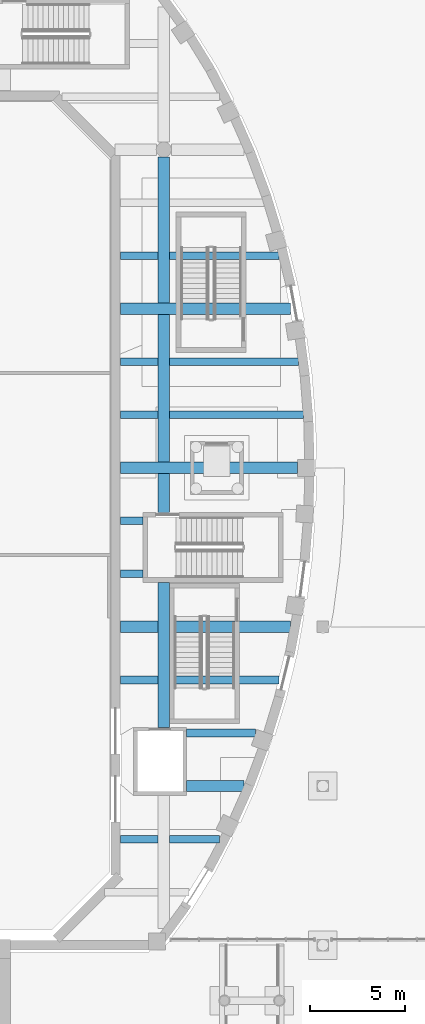
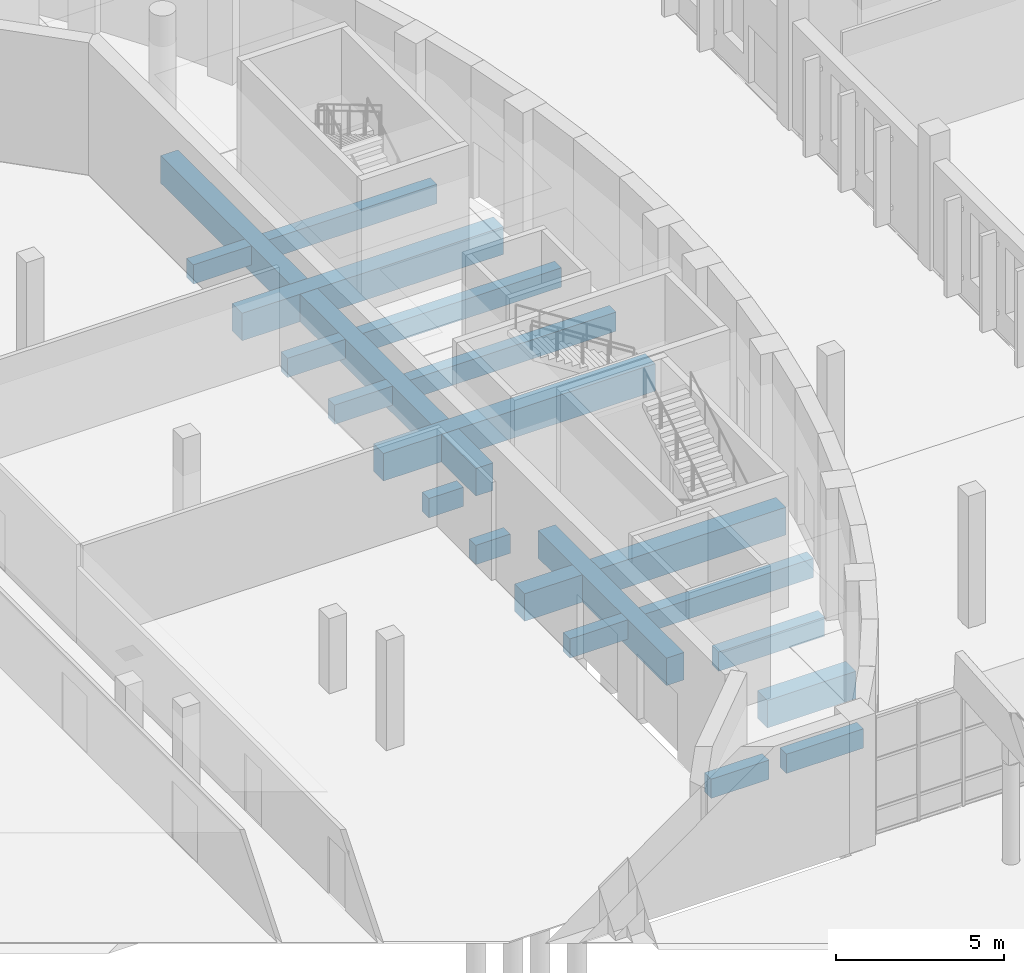
# One storey, part 25 of 110: 19 beams.
"""IFC4 building model written with IfcOpenShell, lengths in metres."""

import ifcopenshell
import ifcopenshell.guid

model = None  # the IFC model being written
_history = None  # IfcOwnerHistory: only IFC2X3 demands one
_inside = {}  # id of a spatial element -> (the spatial element, [elements in it])
_under = {}  # id of a project, library or spatial element -> (it, [spatial elements below it])
_declared = {}  # id of a project -> (the project, [libraries it declares])
_typed = {}  # id of a type object -> (the type object, [elements of that type])
_made_of = {}  # id of a material, layer set ... -> (it, [elements and type objects made of it])


def new_model(schema):
    """Start an empty IFC model of exactly this schema.

    Asked for "IFC4X3", IfcOpenShell would pick the latest addendum, in which some entities
    have other attributes; the version numbers below select the first issue.
    IFC2X3 requires an IfcOwnerHistory on every rooted entity: one is made here for all.
    """
    global model, _history
    if schema == "IFC4X3":
        model = ifcopenshell.file(schema_version=(4, 3, 0, 0))
    else:
        model = ifcopenshell.file(schema=schema)
    _inside.clear()
    _under.clear()
    _declared.clear()
    _typed.clear()
    _made_of.clear()
    _history = None
    if model.schema == "IFC2X3":
        org = make("IfcOrganization", Name="unknown")
        user = make(
            "IfcPersonAndOrganization",
            ThePerson=make("IfcPerson", FamilyName="unknown"),
            TheOrganization=org,
        )
        app = make(
            "IfcApplication",
            ApplicationDeveloper=org,
            Version="unknown",
            ApplicationFullName="unknown",
            ApplicationIdentifier="unknown",
        )
        _history = make(
            "IfcOwnerHistory",
            OwningUser=user,
            OwningApplication=app,
            ChangeAction="ADDED",
            CreationDate=0,
        )
    return model


def make(cls, **values):
    """One entity of the class cls with the attributes given. An attribute that is None is left unset."""
    return model.create_entity(
        cls, **{name: value for name, value in values.items() if value is not None}
    )


def rooted(cls, **values):
    """An entity with a GlobalId (a new one), such as an element, a storey or a relation."""
    return make(cls, GlobalId=ifcopenshell.guid.new(), OwnerHistory=_history, **values)


def si_unit(unit_type, name, prefix=None):
    """IfcSIUnit, for example si_unit("LENGTHUNIT", "METRE", prefix="MILLI")."""
    return make("IfcSIUnit", UnitType=unit_type, Prefix=prefix, Name=name)


def assignment(units):
    """IfcUnitAssignment: the units of a project."""
    return None if units is None else make("IfcUnitAssignment", Units=units)


def point(xyz):
    """IfcCartesianPoint."""
    return None if xyz is None else make("IfcCartesianPoint", Coordinates=xyz)


def direction(xyz):
    """IfcDirection."""
    return None if xyz is None else make("IfcDirection", DirectionRatios=xyz)


def frame(location, z_axis=None, x_axis=None):
    """IfcAxis2Placement3D, a coordinate frame: its origin and axes. An axis left out is left unset."""
    return make(
        "IfcAxis2Placement3D",
        Location=point(location),
        Axis=direction(z_axis),
        RefDirection=direction(x_axis),
    )


def frame_2d(location, x_axis=None):
    """IfcAxis2Placement2D, a coordinate frame in the plane: its origin and x axis."""
    return make(
        "IfcAxis2Placement2D", Location=point(location), RefDirection=direction(x_axis)
    )


def origin():
    """The frame at (0, 0, 0) with its axes left unset."""
    return frame((0.0, 0.0, 0.0))


def origin_2d():
    """The frame at (0, 0) in the plane with its x axis left unset."""
    return frame_2d((0.0, 0.0))


def place(relative_to, where):
    """IfcLocalPlacement: puts the frame where relative to a parent placement (None: the world)."""
    return make(
        "IfcLocalPlacement", PlacementRelTo=relative_to, RelativePlacement=where
    )


def context(
    kind, dimensions, precision=None, world=None, true_north=None, identifier=None
):
    """IfcGeometricRepresentationContext, for example the 3D "Model" context."""
    return make(
        "IfcGeometricRepresentationContext",
        ContextIdentifier=identifier,
        ContextType=kind,
        CoordinateSpaceDimension=dimensions,
        Precision=precision,
        WorldCoordinateSystem=world,
        TrueNorth=true_north,
    )


def subcontext(parent, identifier, kind, view, scale=None):
    """IfcGeometricRepresentationSubContext, for example "Body" below "Model"."""
    return make(
        "IfcGeometricRepresentationSubContext",
        ContextIdentifier=identifier,
        ContextType=kind,
        ParentContext=parent,
        TargetScale=scale,
        TargetView=view,
    )


def project(units=None, contexts=None):
    """IfcProject with its units and contexts."""
    return rooted(
        "IfcProject",
        Name="project",
        RepresentationContexts=contexts,
        UnitsInContext=assignment(units),
    )


def spatial(cls, under=None, at=None, **own):
    """A site, building, storey or space (cls), placed at a placement, below another one or the project."""
    s = rooted(cls, ObjectPlacement=at, **own)
    if under is not None:
        _under.setdefault(under.id(), (under, []))[1].append(s)
    return s


def profile(cls, at=None, kind="AREA", **sizes):
    """A parametric profile (cls). Its sizes go by their IFC names, for example OverallWidth=200.0."""
    return make(cls, ProfileType=kind, Position=at, **sizes)


def rectangle(**sizes):
    """IfcRectangleProfileDef."""
    return profile("IfcRectangleProfileDef", **sizes)


def extrude(swept, where, along, depth):
    """IfcExtrudedAreaSolid: the profile swept, set in the frame where, extruded along a direction by depth."""
    return make(
        "IfcExtrudedAreaSolid",
        SweptArea=swept,
        Position=where,
        ExtrudedDirection=direction(along),
        Depth=depth,
    )


def shape(context_of_items, identifier, shape_type, items):
    """IfcShapeRepresentation: the items that make up one representation, for example the "Body"."""
    return make(
        "IfcShapeRepresentation",
        ContextOfItems=context_of_items,
        RepresentationIdentifier=identifier,
        RepresentationType=shape_type,
        Items=items,
    )


def material(Name=None, Category=None):
    """IfcMaterial."""
    return make("IfcMaterial", Name=Name, Category=Category)


def material_profile(
    of_material, cross_section, Name=None, Category=None, Priority=None
):
    """IfcMaterialProfile: a cross section and its material."""
    return make(
        "IfcMaterialProfile",
        Name=Name,
        Material=of_material,
        Profile=cross_section,
        Priority=Priority,
        Category=Category,
    )


def profile_set(profiles, Name=None, composite=None):
    """IfcMaterialProfileSet."""
    return make(
        "IfcMaterialProfileSet",
        Name=Name,
        MaterialProfiles=profiles,
        CompositeProfile=composite,
    )


def made_of(thing, what):
    """Note that an element or type object is made of a material, layer set ...; save() writes the relation."""
    if what is not None:
        _made_of.setdefault(what.id(), (what, []))[1].append(thing)
    return thing


def type_object(cls, material=None, **own):
    """A type object (cls), such as IfcWallType, which elements share."""
    return made_of(rooted(cls, **own), material)


def element(
    cls,
    number,
    at=None,
    inside=None,
    cuts=None,
    type_object=None,
    material=None,
    context=None,
    identifier="Body",
    shape_type=None,
    held_by="IfcProductDefinitionShape",
    body=None,
    shapes=None,
    **own,
):
    """One element of the class cls, such as IfcWall. Its Tag is "e" and its number.

    at: its placement. inside: the storey or other place that contains it. cuts: it is an
    opening in that element (IfcRelVoidsElement). A single representation is given by context,
    identifier, shape_type and body (its items); several are given by shapes. held_by: the class
    of the entity that holds the representations. save() writes the other relations.
    """
    e = rooted(cls, Tag="e%d" % number, ObjectPlacement=at, **own)
    if body is not None:
        shapes = [shape(context, identifier, shape_type, body)]
    if shapes is not None:
        e.Representation = make(held_by, Representations=shapes)
    if inside is not None:
        _inside.setdefault(inside.id(), (inside, []))[1].append(e)
    if cuts is not None:
        rooted(
            "IfcRelVoidsElement", RelatingBuildingElement=cuts, RelatedOpeningElement=e
        )
    if type_object is not None:
        _typed.setdefault(type_object.id(), (type_object, []))[1].append(e)
    return made_of(e, material)


def aggregate(whole, parts):
    """IfcRelAggregates: a whole, such as a stair, and the parts it consists of."""
    return rooted("IfcRelAggregates", RelatingObject=whole, RelatedObjects=parts)


def save(model, path):
    """Write the relations noted so far, then the file.

    IfcRelAggregates (storeys below a building ...), IfcRelContainedInSpatialStructure (elements
    in a storey), IfcRelDefinesByType, IfcRelAssociatesMaterial and IfcRelDeclares: one each for
    every whole, place, type object, material and project.
    """
    for whole, parts in _under.values():
        aggregate(whole, parts)
    for where, things in _inside.values():
        rooted(
            "IfcRelContainedInSpatialStructure",
            RelatedElements=things,
            RelatingStructure=where,
        )
    for kind, things in _typed.values():
        rooted("IfcRelDefinesByType", RelatedObjects=things, RelatingType=kind)
    for what, things in _made_of.values():
        rooted("IfcRelAssociatesMaterial", RelatedObjects=things, RelatingMaterial=what)
    for by, libraries in _declared.values():
        rooted("IfcRelDeclares", RelatingContext=by, RelatedDefinitions=libraries)
    model.write(path)


model = new_model("IFC4")

# Units and contexts
model_context = context("Model", 3, precision=1e-05, world=origin(), true_north=direction((0.0, 1.0)))
body_context = subcontext(model_context, "Body", "Model", "MODEL_VIEW")
ifc_project = project(units=[si_unit("LENGTHUNIT", "METRE"), si_unit("AREAUNIT", "SQUARE_METRE"), si_unit("VOLUMEUNIT", "CUBIC_METRE"), si_unit("PLANEANGLEUNIT", "RADIAN"), si_unit("MASSUNIT", "GRAM", prefix="KILO")], contexts=[model_context])

# Site, building, storey
site_placement = place(None, origin())
site = spatial("IfcSite", under=ifc_project, at=site_placement, CompositionType="ELEMENT")
building_placement = place(site_placement, origin())
building = spatial("IfcBuilding", under=site, at=building_placement, Name="Larchfold Concert Hall", CompositionType="ELEMENT")
storey_placement = place(building_placement, origin())
storey = spatial("IfcBuildingStorey", under=building, at=storey_placement, Name="L00", CompositionType="ELEMENT", Elevation=0.0)

# Beams
ifc_material_1 = material(Name="Concrete C35/45", Category="concrete")
ifc_material_profile_1 = material_profile(ifc_material_1, rectangle(XDim=0.39990234375, YDim=0.699951171875, at=origin_2d()))
ifc_profile_set_1 = profile_set([ifc_material_profile_1], Name="Concrete C35/45")
beam_type_1 = type_object("IfcBeamType", Name="Beam RC 400x700", PredefinedType="BEAM", material=ifc_profile_set_1)
beam_1_placement = place(storey_placement, frame((57.110107421875, 65.0, -0.550048828125), z_axis=(1.0, 0.0, 0.0), x_axis=(0.0, 1.0, 0.0)))
element("IfcBeam", 1, at=beam_1_placement, inside=storey, type_object=beam_type_1, Name="Beam B1141", PredefinedType="BEAM", context=body_context, shape_type="SweptSolid", body=[
    extrude(rectangle(XDim=0.39990234375, YDim=0.699951171875, at=origin_2d()), origin(), (0.0, 0.0, 1.0), 1.989990234375),
])
beam_2_placement = place(storey_placement, frame((59.699951171875, 65.0, -0.550048828125), z_axis=(1.0, 0.0, 0.0), x_axis=(0.0, 1.0, 0.0)))
element("IfcBeam", 2, at=beam_2_placement, inside=storey, type_object=beam_type_1, Name="Beam B1142", PredefinedType="BEAM", context=body_context, shape_type="SweptSolid", body=[
    extrude(rectangle(XDim=0.39990234375, YDim=0.699951171875, at=origin_2d()), origin(), (0.0, 0.0, 1.0), 2.64013671875),
])
beam_3_placement = place(storey_placement, frame((60.60009765625, 70.60009765625, -0.550048828125), z_axis=(1.0, 0.0, 0.0), x_axis=(0.0, 1.0, 0.0)))
element("IfcBeam", 3, at=beam_3_placement, inside=storey, type_object=beam_type_1, Name="Beam B1144", PredefinedType="BEAM", context=body_context, shape_type="SweptSolid", body=[
    extrude(rectangle(XDim=0.39990234375, YDim=0.699951171875, at=origin_2d()), origin(), (0.0, 0.0, 1.0), 3.64306640625),
])
beam_4_placement = place(storey_placement, frame((57.110107421875, 73.39990234375, -0.550048828125), z_axis=(1.0, 0.0, 0.0), x_axis=(0.0, 1.0, 0.0)))
element("IfcBeam", 4, at=beam_4_placement, inside=storey, type_object=beam_type_1, Name="Beam B1147", PredefinedType="BEAM", context=body_context, shape_type="SweptSolid", body=[
    extrude(rectangle(XDim=0.39990234375, YDim=0.699951171875, at=origin_2d()), origin(), (0.0, 0.0, 1.0), 1.989990234375),
])
beam_5_placement = place(storey_placement, frame((59.699951171875, 73.39990234375, -0.550048828125), z_axis=(1.0, 0.0, 0.0), x_axis=(0.0, 1.0, 0.0)))
element("IfcBeam", 5, at=beam_5_placement, inside=storey, type_object=beam_type_1, Name="Beam B1148", PredefinedType="BEAM", context=body_context, shape_type="SweptSolid", body=[
    extrude(rectangle(XDim=0.39990234375, YDim=0.699951171875, at=origin_2d()), origin(), (0.0, 0.0, 1.0), 5.779052734375),
])
for number, where, z_axis, x_axis, name in (
    (6, (57.110107421875, 79.0, -0.550048828125), (1.0, 0.0, 0.0), (0.0, 1.0, 0.0), "Beam B1150"),
    (7, (57.110107421875, 81.800048828125, -0.550048828125), (1.0, 0.0, 0.0), (0.0, 1.0, 0.0), "Beam B1152"),
):
    element("IfcBeam", number, at=place(storey_placement, frame(where, z_axis=z_axis, x_axis=x_axis)), inside=storey, type_object=beam_type_1, Name=name, PredefinedType="BEAM", context=body_context, shape_type="SweptSolid", body=[
        extrude(rectangle(XDim=0.39990234375, YDim=0.699951171875, at=origin_2d()), origin(), (0.0, 0.0, 1.0), 1.18994140625),
    ])
beam_6_placement = place(storey_placement, frame((57.110107421875, 87.39990234375, -0.550048828125), z_axis=(1.0, 0.0, 0.0), x_axis=(0.0, 1.0, 0.0)))
element("IfcBeam", 8, at=beam_6_placement, inside=storey, type_object=beam_type_1, Name="Beam B1155", PredefinedType="BEAM", context=body_context, shape_type="SweptSolid", body=[
    extrude(rectangle(XDim=0.39990234375, YDim=0.699951171875, at=origin_2d()), origin(), (0.0, 0.0, 1.0), 1.989990234375),
])
beam_7_placement = place(storey_placement, frame((59.699951171875, 87.39990234375, -0.550048828125), z_axis=(1.0, 0.0, 0.0), x_axis=(0.0, 1.0, 0.0)))
element("IfcBeam", 9, at=beam_7_placement, inside=storey, type_object=beam_type_1, Name="Beam B1156", PredefinedType="BEAM", context=body_context, shape_type="SweptSolid", body=[
    extrude(rectangle(XDim=0.39990234375, YDim=0.699951171875, at=origin_2d()), origin(), (0.0, 0.0, 1.0), 7.078125),
])
beam_8_placement = place(storey_placement, frame((57.110107421875, 90.199951171875, -0.550048828125), z_axis=(1.0, 0.0, 0.0), x_axis=(0.0, 1.0, 0.0)))
element("IfcBeam", 10, at=beam_8_placement, inside=storey, type_object=beam_type_1, Name="Beam B1159", PredefinedType="BEAM", context=body_context, shape_type="SweptSolid", body=[
    extrude(rectangle(XDim=0.39990234375, YDim=0.699951171875, at=origin_2d()), origin(), (0.0, 0.0, 1.0), 1.989990234375),
])
beam_9_placement = place(storey_placement, frame((59.699951171875, 90.199951171875, -0.550048828125), z_axis=(1.0, 0.0, 0.0), x_axis=(0.0, 1.0, 0.0)))
element("IfcBeam", 11, at=beam_9_placement, inside=storey, type_object=beam_type_1, Name="Beam B1160", PredefinedType="BEAM", context=body_context, shape_type="SweptSolid", body=[
    extrude(rectangle(XDim=0.39990234375, YDim=0.699951171875, at=origin_2d()), origin(), (0.0, 0.0, 1.0), 6.81982421875),
])
beam_10_placement = place(storey_placement, frame((57.110107421875, 95.800048828125, -0.550048828125), z_axis=(1.0, 0.0, 0.0), x_axis=(0.0, 1.0, 0.0)))
element("IfcBeam", 12, at=beam_10_placement, inside=storey, type_object=beam_type_1, Name="Beam B1163", PredefinedType="BEAM", context=body_context, shape_type="SweptSolid", body=[
    extrude(rectangle(XDim=0.39990234375, YDim=0.699951171875, at=origin_2d()), origin(), (0.0, 0.0, 1.0), 1.989990234375),
])
beam_11_placement = place(storey_placement, frame((59.699951171875, 95.800048828125, -0.550048828125), z_axis=(1.0, 0.0, 0.0), x_axis=(0.0, 1.0, 0.0)))
element("IfcBeam", 13, at=beam_11_placement, inside=storey, type_object=beam_type_1, Name="Beam B1164", PredefinedType="BEAM", context=body_context, shape_type="SweptSolid", body=[
    extrude(rectangle(XDim=0.39990234375, YDim=0.699951171875, at=origin_2d()), origin(), (0.0, 0.0, 1.0), 5.780029296875),
])
ifc_material_2 = material(Name="Concrete C35/45", Category="concrete")
ifc_material_profile_2 = material_profile(ifc_material_2, rectangle(XDim=0.60009765625, YDim=1.0, at=origin_2d()))
ifc_profile_set_2 = profile_set([ifc_material_profile_2], Name="Concrete C35/45")
beam_type_2 = type_object("IfcBeamType", Name="Beam RC 600x1000", PredefinedType="BEAM", material=ifc_profile_set_2)
beam_12_placement = place(storey_placement, frame((59.39990234375, 70.89990234375, -0.699951171875), z_axis=(0.0, 1.0, 0.0), x_axis=(-1.0, 0.0, 0.0)))
element("IfcBeam", 14, at=beam_12_placement, inside=storey, type_object=beam_type_2, Name="Beam B1117", PredefinedType="BEAM", context=body_context, shape_type="SweptSolid", body=[
    extrude(rectangle(XDim=0.60009765625, YDim=1.0, at=origin_2d()), origin(), (0.0, 0.0, 1.0), 7.650146484375),
])
beam_13_placement = place(storey_placement, frame((59.39990234375, 82.25, -0.699951171875), z_axis=(0.0, 1.0, 0.0), x_axis=(-1.0, 0.0, 0.0)))
element("IfcBeam", 15, at=beam_13_placement, inside=storey, type_object=beam_type_2, Name="Beam B1118", PredefinedType="BEAM", context=body_context, shape_type="SweptSolid", body=[
    extrude(rectangle(XDim=0.60009765625, YDim=1.0, at=origin_2d()), origin(), (0.0, 0.0, 1.0), 18.751708984375),
])
beam_14_placement = place(storey_placement, frame((60.60009765625, 67.800048828125, -0.699951171875), z_axis=(1.0, 0.0, 0.0), x_axis=(0.0, 1.0, 0.0)))
element("IfcBeam", 16, at=beam_14_placement, inside=storey, type_object=beam_type_2, Name="Beam B1121", PredefinedType="BEAM", context=body_context, shape_type="SweptSolid", body=[
    extrude(rectangle(XDim=0.60009765625, YDim=1.0, at=origin_2d()), origin(), (0.0, 0.0, 1.0), 3.04638671875),
])
beam_15_placement = place(storey_placement, frame((57.110107421875, 76.199951171875, -0.699951171875), z_axis=(1.0, 0.0, 0.0), x_axis=(0.0, 1.0, 0.0)))
element("IfcBeam", 17, at=beam_15_placement, inside=storey, type_object=beam_type_2, Name="Beam B1123", PredefinedType="BEAM", context=body_context, shape_type="SweptSolid", body=[
    extrude(rectangle(XDim=0.60009765625, YDim=1.0, at=origin_2d()), origin(), (0.0, 0.0, 1.0), 8.979736328125),
])
beam_16_placement = place(storey_placement, frame((57.110107421875, 84.60009765625, -0.699951171875), z_axis=(1.0, 0.0, 0.0), x_axis=(0.0, 1.0, 0.0)))
element("IfcBeam", 18, at=beam_16_placement, inside=storey, type_object=beam_type_2, Name="Beam B1125", PredefinedType="BEAM", context=body_context, shape_type="SweptSolid", body=[
    extrude(rectangle(XDim=0.60009765625, YDim=1.0, at=origin_2d()), origin(), (0.0, 0.0, 1.0), 9.340087890625),
])
beam_17_placement = place(storey_placement, frame((57.110107421875, 93.0, -0.699951171875), z_axis=(1.0, 0.0, 0.0), x_axis=(0.0, 1.0, 0.0)))
element("IfcBeam", 19, at=beam_17_placement, inside=storey, type_object=beam_type_2, Name="Beam B1127", PredefinedType="BEAM", context=body_context, shape_type="SweptSolid", body=[
    extrude(rectangle(XDim=0.60009765625, YDim=1.0, at=origin_2d()), origin(), (0.0, 0.0, 1.0), 8.979736328125),
])

save(model, "model.ifc")
